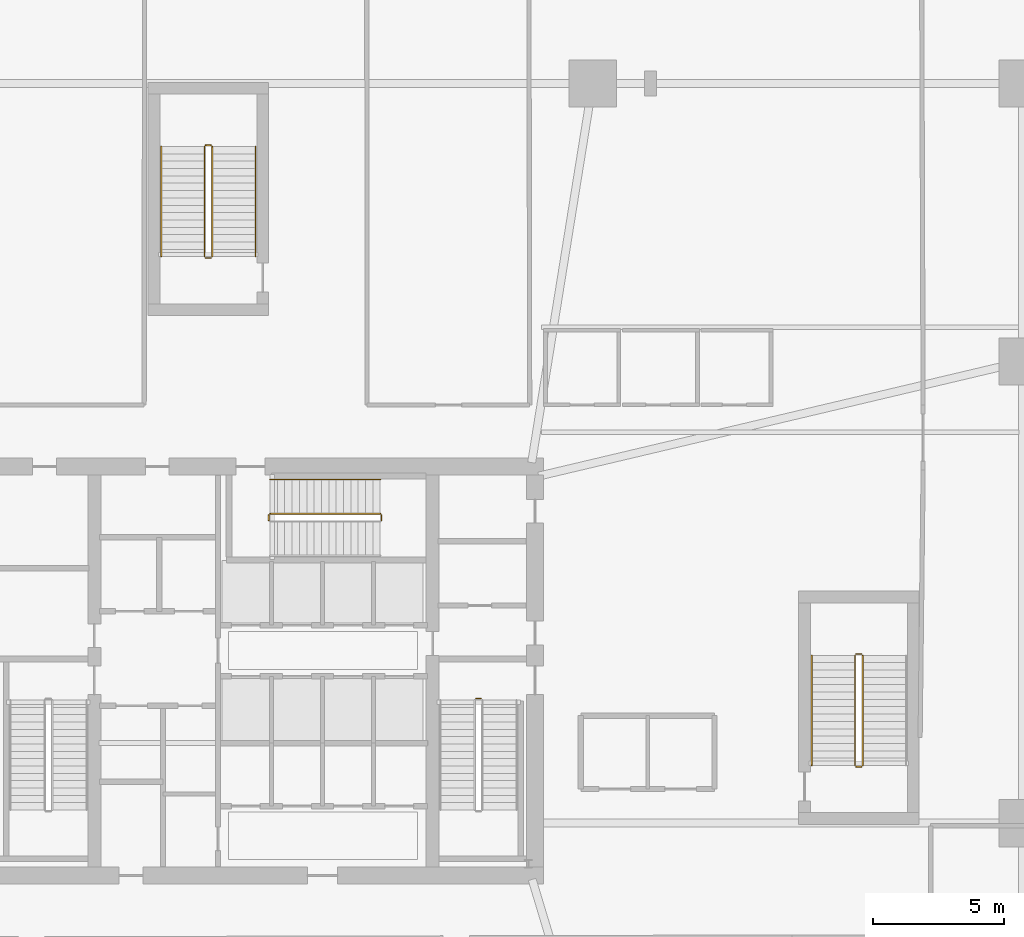
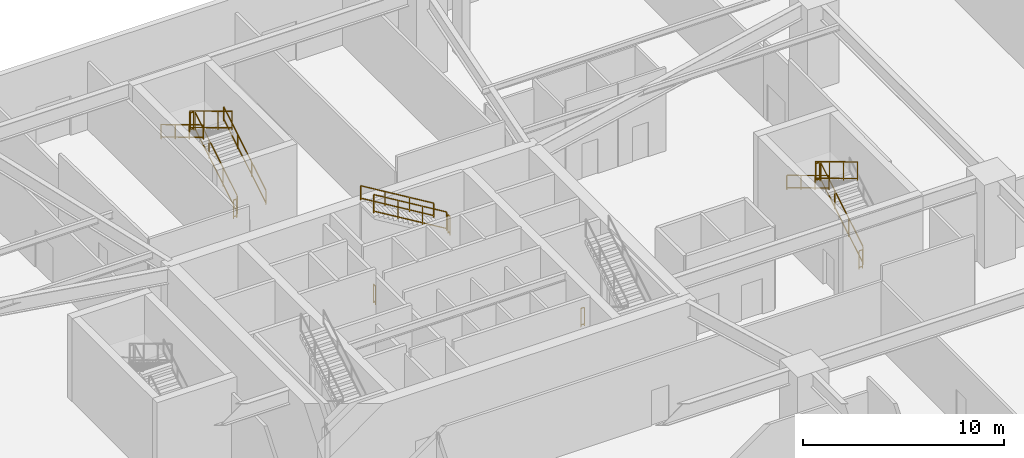
# One storey, part 11 of 13: 16 railings.
"""IFC4 building model written with IfcOpenShell, lengths in metres."""

from ifc_helpers import new_model, si_unit, direction, frame, origin, origin_2d, place, context, subcontext, project, spatial, rectangle, extrude, material, type_object, element, save


model = new_model("IFC4")

# Units and contexts
model_context = context("Model", 3, precision=1e-05, world=origin(), true_north=direction((0.0, 1.0)))
body_context = subcontext(model_context, "Body", "Model", "MODEL_VIEW")
ifc_project = project(units=[si_unit("LENGTHUNIT", "METRE"), si_unit("AREAUNIT", "SQUARE_METRE"), si_unit("VOLUMEUNIT", "CUBIC_METRE"), si_unit("PLANEANGLEUNIT", "RADIAN"), si_unit("MASSUNIT", "GRAM", prefix="KILO")], contexts=[model_context])

# Site, building, storey
site_placement = place(None, origin())
site = spatial("IfcSite", under=ifc_project, at=site_placement, CompositionType="ELEMENT")
building_placement = place(site_placement, origin())
building = spatial("IfcBuilding", under=site, at=building_placement, Name="Qarnah Convention Tower", CompositionType="ELEMENT")
storey_placement = place(building_placement, origin())
storey = spatial("IfcBuildingStorey", under=building, at=storey_placement, Name="L00", CompositionType="ELEMENT", Elevation=0.0)

# Railings
ifc_material = material(Name="Structural steel S355JR", Category="steel")
railing_type_1 = type_object("IfcRailingType", Name="RL-STAIR-GUARD-1150", PredefinedType="GUARDRAIL", material=ifc_material)
railing_1_placement = place(storey_placement, frame((45.35009765625, 25.35009765625, 0.0)))
element("IfcRailing", 1, at=railing_1_placement, inside=storey, type_object=railing_type_1, Name="L00 ST-2 stair guard 4", PredefinedType="GUARDRAIL", context=body_context, shape_type="SweptSolid", body=[
    extrude(rectangle(XDim=0.048095703125, YDim=0.048095703125, at=origin_2d()), frame((0.0, 0.0, 1.1259765625), z_axis=(1.0, 0.0, 0.0), x_axis=(0.0, 1.0, 0.0)), (0.0, 0.0, 1.0), 0.199951171875),
    extrude(rectangle(XDim=0.048095703125, YDim=0.048095703125, at=origin_2d()), frame((0.0, 0.0, 0.1201171875), z_axis=(1.0, 0.0, 0.0), x_axis=(0.0, 1.0, 0.0)), (0.0, 0.0, 1.0), 0.199951171875),
    extrude(rectangle(XDim=0.0419921875, YDim=0.0419921875, at=origin_2d()), origin(), (0.0, 0.0, 1.0), 1.101806640625),
    extrude(rectangle(XDim=0.0419921875, YDim=0.0419921875, at=origin_2d()), frame((0.199951171875, 0.0, 0.0)), (0.0, 0.0, 1.0), 1.101806640625),
])
railing_2_placement = place(storey_placement, frame((41.75, 32.14990234375, 2.699951171875)))
element("IfcRailing", 2, at=railing_2_placement, inside=storey, type_object=railing_type_1, Name="L00 ST-3 stair guard 2", PredefinedType="GUARDRAIL", context=body_context, shape_type="SweptSolid", body=[
    extrude(rectangle(XDim=0.048095703125, YDim=0.048095703125, at=origin_2d()), frame((0.0, 0.0, 1.1259765625), z_axis=(0.0, 1.0, 0.0), x_axis=(-1.0, 0.0, 0.0)), (0.0, 0.0, 1.0), 0.2001953125),
    extrude(rectangle(XDim=0.048095703125, YDim=0.048095703125, at=origin_2d()), frame((0.0, 0.0, 0.1201171875), z_axis=(0.0, 1.0, 0.0), x_axis=(-1.0, 0.0, 0.0)), (0.0, 0.0, 1.0), 0.2001953125),
    extrude(rectangle(XDim=0.0419921875, YDim=0.0419921875, at=origin_2d()), origin(), (0.0, 0.0, 1.0), 1.101806640625),
    extrude(rectangle(XDim=0.0419921875, YDim=0.0419921875, at=origin_2d()), frame((0.0, 0.2001953125, 0.0)), (0.0, 0.0, 1.0), 1.101806640625),
])
railing_3_placement = place(storey_placement, frame((41.699951171875, 32.39990234375, 2.86865234375)))
element("IfcRailing", 3, at=railing_3_placement, inside=storey, type_object=railing_type_1, Name="L00 ST-3 stair guard 3", PredefinedType="GUARDRAIL", context=body_context, shape_type="SweptSolid", body=[
    extrude(rectangle(XDim=0.048095703125, YDim=0.048095703125, at=origin_2d()), frame((0.0, 0.0, 1.1259765625), z_axis=(-0.856476492594, 0.0, 0.516186030065), x_axis=(0.0, -1.0, 0.0)), (0.0, 0.0, 1.0), 4.90380859375),
    extrude(rectangle(XDim=0.048095703125, YDim=0.048095703125, at=origin_2d()), frame((0.0, 0.0, 0.1201171875), z_axis=(-0.856476492594, 0.0, 0.516186030065), x_axis=(0.0, -1.0, 0.0)), (0.0, 0.0, 1.0), 4.90380859375),
    extrude(rectangle(XDim=0.0419921875, YDim=0.0419921875, at=origin_2d()), origin(), (0.0, 0.0, 1.0), 1.101806640625),
    extrude(rectangle(XDim=0.0419921875, YDim=0.0419921875, at=origin_2d()), frame((-1.39990234375, 0.0, 0.84375)), (0.0, 0.0, 1.0), 1.101806640625),
    extrude(rectangle(XDim=0.0419921875, YDim=0.0419921875, at=origin_2d()), frame((-2.800048828125, 0.0, 1.6875)), (0.0, 0.0, 1.0), 1.101806640625),
    extrude(rectangle(XDim=0.0419921875, YDim=0.0419921875, at=origin_2d()), frame((-4.199951171875, 0.0, 2.53125)), (0.0, 0.0, 1.0), 1.101806640625),
])
railing_4_placement = place(storey_placement, frame((37.449951171875, 32.14990234375, 0.0)))
element("IfcRailing", 4, at=railing_4_placement, inside=storey, type_object=railing_type_1, Name="L00 ST-3 stair guard 4", PredefinedType="GUARDRAIL", context=body_context, shape_type="SweptSolid", body=[
    extrude(rectangle(XDim=0.048095703125, YDim=0.048095703125, at=origin_2d()), frame((0.0, 0.0, 1.1259765625), z_axis=(0.0, 1.0, 0.0), x_axis=(-1.0, 0.0, 0.0)), (0.0, 0.0, 1.0), 0.2001953125),
    extrude(rectangle(XDim=0.048095703125, YDim=0.048095703125, at=origin_2d()), frame((0.0, 0.0, 0.1201171875), z_axis=(0.0, 1.0, 0.0), x_axis=(-1.0, 0.0, 0.0)), (0.0, 0.0, 1.0), 0.2001953125),
    extrude(rectangle(XDim=0.0419921875, YDim=0.0419921875, at=origin_2d()), origin(), (0.0, 0.0, 1.0), 1.101806640625),
    extrude(rectangle(XDim=0.0419921875, YDim=0.0419921875, at=origin_2d()), frame((0.0, 0.2001953125, 0.0)), (0.0, 0.0, 1.0), 1.101806640625),
])
railing_5_placement = place(storey_placement, frame((60.10009765625, 22.800048828125, 0.168701171875)))
element("IfcRailing", 5, at=railing_5_placement, inside=storey, type_object=railing_type_1, Name="L00 ST-4 stair guard 1", PredefinedType="GUARDRAIL", context=body_context, shape_type="SweptSolid", body=[
    extrude(rectangle(XDim=0.048095703125, YDim=0.048095703125, at=origin_2d()), frame((0.0, 0.0, 1.1259765625), z_axis=(0.0, 0.856476492594, 0.516186030065), x_axis=(-1.0, 0.0, 0.0)), (0.0, 0.0, 1.0), 4.90380859375),
    extrude(rectangle(XDim=0.048095703125, YDim=0.048095703125, at=origin_2d()), frame((0.0, 0.0, 0.1201171875), z_axis=(0.0, 0.856476492594, 0.516186030065), x_axis=(-1.0, 0.0, 0.0)), (0.0, 0.0, 1.0), 4.90380859375),
    extrude(rectangle(XDim=0.0419921875, YDim=0.0419921875, at=origin_2d()), origin(), (0.0, 0.0, 1.0), 1.101806640625),
    extrude(rectangle(XDim=0.0419921875, YDim=0.0419921875, at=origin_2d()), frame((0.0, 1.39990234375, 0.84375)), (0.0, 0.0, 1.0), 1.101806640625),
    extrude(rectangle(XDim=0.0419921875, YDim=0.0419921875, at=origin_2d()), frame((0.0, 2.800048828125, 1.6875)), (0.0, 0.0, 1.0), 1.101806640625),
    extrude(rectangle(XDim=0.0419921875, YDim=0.0419921875, at=origin_2d()), frame((0.0, 4.199951171875, 2.53125)), (0.0, 0.0, 1.0), 1.101806640625),
])
railing_6_placement = place(storey_placement, frame((60.050048828125, 27.050048828125, 2.699951171875)))
element("IfcRailing", 6, at=railing_6_placement, inside=storey, type_object=railing_type_1, Name="L00 ST-4 stair guard 2", PredefinedType="GUARDRAIL", context=body_context, shape_type="SweptSolid", body=[
    extrude(rectangle(XDim=0.048095703125, YDim=0.048095703125, at=origin_2d()), frame((0.0, 0.0, 1.1259765625), z_axis=(-1.0, 0.0, 0.0), x_axis=(0.0, -1.0, 0.0)), (0.0, 0.0, 1.0), 0.199951171875),
    extrude(rectangle(XDim=0.048095703125, YDim=0.048095703125, at=origin_2d()), frame((0.0, 0.0, 0.1201171875), z_axis=(-1.0, 0.0, 0.0), x_axis=(0.0, -1.0, 0.0)), (0.0, 0.0, 1.0), 0.199951171875),
    extrude(rectangle(XDim=0.0419921875, YDim=0.0419921875, at=origin_2d()), origin(), (0.0, 0.0, 1.0), 1.101806640625),
    extrude(rectangle(XDim=0.0419921875, YDim=0.0419921875, at=origin_2d()), frame((-0.199951171875, 0.0, 0.0)), (0.0, 0.0, 1.0), 1.101806640625),
])
railing_7_placement = place(storey_placement, frame((59.800048828125, 27.0, 2.86865234375)))
element("IfcRailing", 7, at=railing_7_placement, inside=storey, type_object=railing_type_1, Name="L00 ST-4 stair guard 3", PredefinedType="GUARDRAIL", context=body_context, shape_type="SweptSolid", body=[
    extrude(rectangle(XDim=0.048095703125, YDim=0.048095703125, at=origin_2d()), frame((0.0, 0.0, 1.1259765625), z_axis=(0.0, -0.856476492594, 0.516186030065), x_axis=(1.0, 0.0, 0.0)), (0.0, 0.0, 1.0), 4.90380859375),
    extrude(rectangle(XDim=0.048095703125, YDim=0.048095703125, at=origin_2d()), frame((0.0, 0.0, 0.1201171875), z_axis=(0.0, -0.856476492594, 0.516186030065), x_axis=(1.0, 0.0, 0.0)), (0.0, 0.0, 1.0), 4.90380859375),
    extrude(rectangle(XDim=0.0419921875, YDim=0.0419921875, at=origin_2d()), origin(), (0.0, 0.0, 1.0), 1.101806640625),
    extrude(rectangle(XDim=0.0419921875, YDim=0.0419921875, at=origin_2d()), frame((0.0, -1.39990234375, 0.84375)), (0.0, 0.0, 1.0), 1.101806640625),
    extrude(rectangle(XDim=0.0419921875, YDim=0.0419921875, at=origin_2d()), frame((0.0, -2.800048828125, 1.6875)), (0.0, 0.0, 1.0), 1.101806640625),
    extrude(rectangle(XDim=0.0419921875, YDim=0.0419921875, at=origin_2d()), frame((0.0, -4.199951171875, 2.53125)), (0.0, 0.0, 1.0), 1.101806640625),
])
railing_8_placement = place(storey_placement, frame((60.050048828125, 22.75, 0.0)))
element("IfcRailing", 8, at=railing_8_placement, inside=storey, type_object=railing_type_1, Name="L00 ST-4 stair guard 4", PredefinedType="GUARDRAIL", context=body_context, shape_type="SweptSolid", body=[
    extrude(rectangle(XDim=0.048095703125, YDim=0.048095703125, at=origin_2d()), frame((0.0, 0.0, 1.1259765625), z_axis=(-1.0, 0.0, 0.0), x_axis=(0.0, -1.0, 0.0)), (0.0, 0.0, 1.0), 0.199951171875),
    extrude(rectangle(XDim=0.048095703125, YDim=0.048095703125, at=origin_2d()), frame((0.0, 0.0, 0.1201171875), z_axis=(-1.0, 0.0, 0.0), x_axis=(0.0, -1.0, 0.0)), (0.0, 0.0, 1.0), 0.199951171875),
    extrude(rectangle(XDim=0.0419921875, YDim=0.0419921875, at=origin_2d()), origin(), (0.0, 0.0, 1.0), 1.101806640625),
    extrude(rectangle(XDim=0.0419921875, YDim=0.0419921875, at=origin_2d()), frame((-0.199951171875, 0.0, 0.0)), (0.0, 0.0, 1.0), 1.101806640625),
])
railing_9_placement = place(storey_placement, frame((35.300048828125, 42.199951171875, 0.168701171875)))
element("IfcRailing", 9, at=railing_9_placement, inside=storey, type_object=railing_type_1, Name="L00 ST-6 stair guard 1", PredefinedType="GUARDRAIL", context=body_context, shape_type="SweptSolid", body=[
    extrude(rectangle(XDim=0.048095703125, YDim=0.048095703125, at=origin_2d()), frame((0.0, 0.0, 1.1259765625), z_axis=(0.0, 0.856476492594, 0.516186030065), x_axis=(-1.0, 0.0, 0.0)), (0.0, 0.0, 1.0), 4.90380859375),
    extrude(rectangle(XDim=0.048095703125, YDim=0.048095703125, at=origin_2d()), frame((0.0, 0.0, 0.1201171875), z_axis=(0.0, 0.856476492594, 0.516186030065), x_axis=(-1.0, 0.0, 0.0)), (0.0, 0.0, 1.0), 4.90380859375),
    extrude(rectangle(XDim=0.0419921875, YDim=0.0419921875, at=origin_2d()), origin(), (0.0, 0.0, 1.0), 1.101806640625),
    extrude(rectangle(XDim=0.0419921875, YDim=0.0419921875, at=origin_2d()), frame((0.0, 1.39990234375, 0.84375)), (0.0, 0.0, 1.0), 1.101806640625),
    extrude(rectangle(XDim=0.0419921875, YDim=0.0419921875, at=origin_2d()), frame((0.0, 2.800048828125, 1.6875)), (0.0, 0.0, 1.0), 1.101806640625),
    extrude(rectangle(XDim=0.0419921875, YDim=0.0419921875, at=origin_2d()), frame((0.0, 4.199951171875, 2.53125)), (0.0, 0.0, 1.0), 1.101806640625),
])
railing_10_placement = place(storey_placement, frame((35.25, 46.449951171875, 2.699951171875)))
element("IfcRailing", 10, at=railing_10_placement, inside=storey, type_object=railing_type_1, Name="L00 ST-6 stair guard 2", PredefinedType="GUARDRAIL", context=body_context, shape_type="SweptSolid", body=[
    extrude(rectangle(XDim=0.048095703125, YDim=0.048095703125, at=origin_2d()), frame((0.0, 0.0, 1.1259765625), z_axis=(-1.0, 0.0, 0.0), x_axis=(0.0, -1.0, 0.0)), (0.0, 0.0, 1.0), 0.199951171875),
    extrude(rectangle(XDim=0.048095703125, YDim=0.048095703125, at=origin_2d()), frame((0.0, 0.0, 0.1201171875), z_axis=(-1.0, 0.0, 0.0), x_axis=(0.0, -1.0, 0.0)), (0.0, 0.0, 1.0), 0.199951171875),
    extrude(rectangle(XDim=0.0419921875, YDim=0.0419921875, at=origin_2d()), origin(), (0.0, 0.0, 1.0), 1.101806640625),
    extrude(rectangle(XDim=0.0419921875, YDim=0.0419921875, at=origin_2d()), frame((-0.199951171875, 0.0, 0.0)), (0.0, 0.0, 1.0), 1.101806640625),
])
railing_11_placement = place(storey_placement, frame((35.0, 46.39990234375, 2.86865234375)))
element("IfcRailing", 11, at=railing_11_placement, inside=storey, type_object=railing_type_1, Name="L00 ST-6 stair guard 3", PredefinedType="GUARDRAIL", context=body_context, shape_type="SweptSolid", body=[
    extrude(rectangle(XDim=0.048095703125, YDim=0.048095703125, at=origin_2d()), frame((0.0, 0.0, 1.1259765625), z_axis=(0.0, -0.856476492594, 0.516186030065), x_axis=(1.0, 0.0, 0.0)), (0.0, 0.0, 1.0), 4.90380859375),
    extrude(rectangle(XDim=0.048095703125, YDim=0.048095703125, at=origin_2d()), frame((0.0, 0.0, 0.1201171875), z_axis=(0.0, -0.856476492594, 0.516186030065), x_axis=(1.0, 0.0, 0.0)), (0.0, 0.0, 1.0), 4.90380859375),
    extrude(rectangle(XDim=0.0419921875, YDim=0.0419921875, at=origin_2d()), origin(), (0.0, 0.0, 1.0), 1.101806640625),
    extrude(rectangle(XDim=0.0419921875, YDim=0.0419921875, at=origin_2d()), frame((0.0, -1.39990234375, 0.84375)), (0.0, 0.0, 1.0), 1.101806640625),
    extrude(rectangle(XDim=0.0419921875, YDim=0.0419921875, at=origin_2d()), frame((0.0, -2.800048828125, 1.6875)), (0.0, 0.0, 1.0), 1.101806640625),
    extrude(rectangle(XDim=0.0419921875, YDim=0.0419921875, at=origin_2d()), frame((0.0, -4.199951171875, 2.53125)), (0.0, 0.0, 1.0), 1.101806640625),
])
railing_12_placement = place(storey_placement, frame((35.25, 42.14990234375, 0.0)))
element("IfcRailing", 12, at=railing_12_placement, inside=storey, type_object=railing_type_1, Name="L00 ST-6 stair guard 4", PredefinedType="GUARDRAIL", context=body_context, shape_type="SweptSolid", body=[
    extrude(rectangle(XDim=0.048095703125, YDim=0.048095703125, at=origin_2d()), frame((0.0, 0.0, 1.1259765625), z_axis=(-1.0, 0.0, 0.0), x_axis=(0.0, -1.0, 0.0)), (0.0, 0.0, 1.0), 0.199951171875),
    extrude(rectangle(XDim=0.048095703125, YDim=0.048095703125, at=origin_2d()), frame((0.0, 0.0, 0.1201171875), z_axis=(-1.0, 0.0, 0.0), x_axis=(0.0, -1.0, 0.0)), (0.0, 0.0, 1.0), 0.199951171875),
    extrude(rectangle(XDim=0.0419921875, YDim=0.0419921875, at=origin_2d()), origin(), (0.0, 0.0, 1.0), 1.101806640625),
    extrude(rectangle(XDim=0.0419921875, YDim=0.0419921875, at=origin_2d()), frame((-0.199951171875, 0.0, 0.0)), (0.0, 0.0, 1.0), 1.101806640625),
])
railing_type_2 = type_object("IfcRailingType", Name="RL-STAIR-HAND-900", PredefinedType="HANDRAIL", material=ifc_material)
railing_13_placement = place(storey_placement, frame((41.699951171875, 33.699951171875, 2.86865234375)))
element("IfcRailing", 13, at=railing_13_placement, inside=storey, type_object=railing_type_2, Name="L00 ST-3 stair handrail 2", PredefinedType="HANDRAIL", context=body_context, shape_type="SweptSolid", body=[
    extrude(rectangle(XDim=0.048095703125, YDim=0.048095703125, at=origin_2d()), frame((0.0, 0.0, 0.8759765625), z_axis=(-0.856476492594, 0.0, 0.516186030065), x_axis=(0.0, -1.0, 0.0)), (0.0, 0.0, 1.0), 4.90380859375),
    extrude(rectangle(XDim=0.048095703125, YDim=0.048095703125, at=origin_2d()), frame((0.0, 0.0, 0.1201171875), z_axis=(-0.856476492594, 0.0, 0.516186030065), x_axis=(0.0, -1.0, 0.0)), (0.0, 0.0, 1.0), 4.90380859375),
    extrude(rectangle(XDim=0.0419921875, YDim=0.0419921875, at=origin_2d()), origin(), (0.0, 0.0, 1.0), 0.851806640625),
    extrude(rectangle(XDim=0.0419921875, YDim=0.0419921875, at=origin_2d()), frame((-1.39990234375, 0.0, 0.84375)), (0.0, 0.0, 1.0), 0.851806640625),
    extrude(rectangle(XDim=0.0419921875, YDim=0.0419921875, at=origin_2d()), frame((-2.800048828125, 0.0, 1.6875)), (0.0, 0.0, 1.0), 0.851806640625),
    extrude(rectangle(XDim=0.0419921875, YDim=0.0419921875, at=origin_2d()), frame((-4.199951171875, 0.0, 2.53125)), (0.0, 0.0, 1.0), 0.851806640625),
])
railing_14_placement = place(storey_placement, frame((58.14990234375, 27.0, 2.86865234375)))
element("IfcRailing", 14, at=railing_14_placement, inside=storey, type_object=railing_type_2, Name="L00 ST-4 stair handrail 2", PredefinedType="HANDRAIL", context=body_context, shape_type="SweptSolid", body=[
    extrude(rectangle(XDim=0.048095703125, YDim=0.048095703125, at=origin_2d()), frame((0.0, 0.0, 0.8759765625), z_axis=(0.0, -0.856476492594, 0.516186030065), x_axis=(1.0, 0.0, 0.0)), (0.0, 0.0, 1.0), 4.90380859375),
    extrude(rectangle(XDim=0.048095703125, YDim=0.048095703125, at=origin_2d()), frame((0.0, 0.0, 0.1201171875), z_axis=(0.0, -0.856476492594, 0.516186030065), x_axis=(1.0, 0.0, 0.0)), (0.0, 0.0, 1.0), 4.90380859375),
    extrude(rectangle(XDim=0.0419921875, YDim=0.0419921875, at=origin_2d()), origin(), (0.0, 0.0, 1.0), 0.851806640625),
    extrude(rectangle(XDim=0.0419921875, YDim=0.0419921875, at=origin_2d()), frame((0.0, -1.39990234375, 0.84375)), (0.0, 0.0, 1.0), 0.851806640625),
    extrude(rectangle(XDim=0.0419921875, YDim=0.0419921875, at=origin_2d()), frame((0.0, -2.800048828125, 1.6875)), (0.0, 0.0, 1.0), 0.851806640625),
    extrude(rectangle(XDim=0.0419921875, YDim=0.0419921875, at=origin_2d()), frame((0.0, -4.199951171875, 2.53125)), (0.0, 0.0, 1.0), 0.851806640625),
])
railing_15_placement = place(storey_placement, frame((36.949951171875, 42.199951171875, 0.168701171875)))
element("IfcRailing", 15, at=railing_15_placement, inside=storey, type_object=railing_type_2, Name="L00 ST-6 stair handrail 1", PredefinedType="HANDRAIL", context=body_context, shape_type="SweptSolid", body=[
    extrude(rectangle(XDim=0.048095703125, YDim=0.048095703125, at=origin_2d()), frame((0.0, 0.0, 0.8759765625), z_axis=(0.0, 0.856476492594, 0.516186030065), x_axis=(-1.0, 0.0, 0.0)), (0.0, 0.0, 1.0), 4.90380859375),
    extrude(rectangle(XDim=0.048095703125, YDim=0.048095703125, at=origin_2d()), frame((0.0, 0.0, 0.1201171875), z_axis=(0.0, 0.856476492594, 0.516186030065), x_axis=(-1.0, 0.0, 0.0)), (0.0, 0.0, 1.0), 4.90380859375),
    extrude(rectangle(XDim=0.0419921875, YDim=0.0419921875, at=origin_2d()), origin(), (0.0, 0.0, 1.0), 0.851806640625),
    extrude(rectangle(XDim=0.0419921875, YDim=0.0419921875, at=origin_2d()), frame((0.0, 1.39990234375, 0.84375)), (0.0, 0.0, 1.0), 0.851806640625),
    extrude(rectangle(XDim=0.0419921875, YDim=0.0419921875, at=origin_2d()), frame((0.0, 2.800048828125, 1.6875)), (0.0, 0.0, 1.0), 0.851806640625),
    extrude(rectangle(XDim=0.0419921875, YDim=0.0419921875, at=origin_2d()), frame((0.0, 4.199951171875, 2.53125)), (0.0, 0.0, 1.0), 0.851806640625),
])
railing_16_placement = place(storey_placement, frame((33.35009765625, 46.39990234375, 2.86865234375)))
element("IfcRailing", 16, at=railing_16_placement, inside=storey, type_object=railing_type_2, Name="L00 ST-6 stair handrail 2", PredefinedType="HANDRAIL", context=body_context, shape_type="SweptSolid", body=[
    extrude(rectangle(XDim=0.048095703125, YDim=0.048095703125, at=origin_2d()), frame((0.0, 0.0, 0.8759765625), z_axis=(0.0, -0.856476492594, 0.516186030065), x_axis=(1.0, 0.0, 0.0)), (0.0, 0.0, 1.0), 4.90380859375),
    extrude(rectangle(XDim=0.048095703125, YDim=0.048095703125, at=origin_2d()), frame((0.0, 0.0, 0.1201171875), z_axis=(0.0, -0.856476492594, 0.516186030065), x_axis=(1.0, 0.0, 0.0)), (0.0, 0.0, 1.0), 4.90380859375),
    extrude(rectangle(XDim=0.0419921875, YDim=0.0419921875, at=origin_2d()), origin(), (0.0, 0.0, 1.0), 0.851806640625),
    extrude(rectangle(XDim=0.0419921875, YDim=0.0419921875, at=origin_2d()), frame((0.0, -1.39990234375, 0.84375)), (0.0, 0.0, 1.0), 0.851806640625),
    extrude(rectangle(XDim=0.0419921875, YDim=0.0419921875, at=origin_2d()), frame((0.0, -2.800048828125, 1.6875)), (0.0, 0.0, 1.0), 0.851806640625),
    extrude(rectangle(XDim=0.0419921875, YDim=0.0419921875, at=origin_2d()), frame((0.0, -4.199951171875, 2.53125)), (0.0, 0.0, 1.0), 0.851806640625),
])

save(model, "model.ifc")
